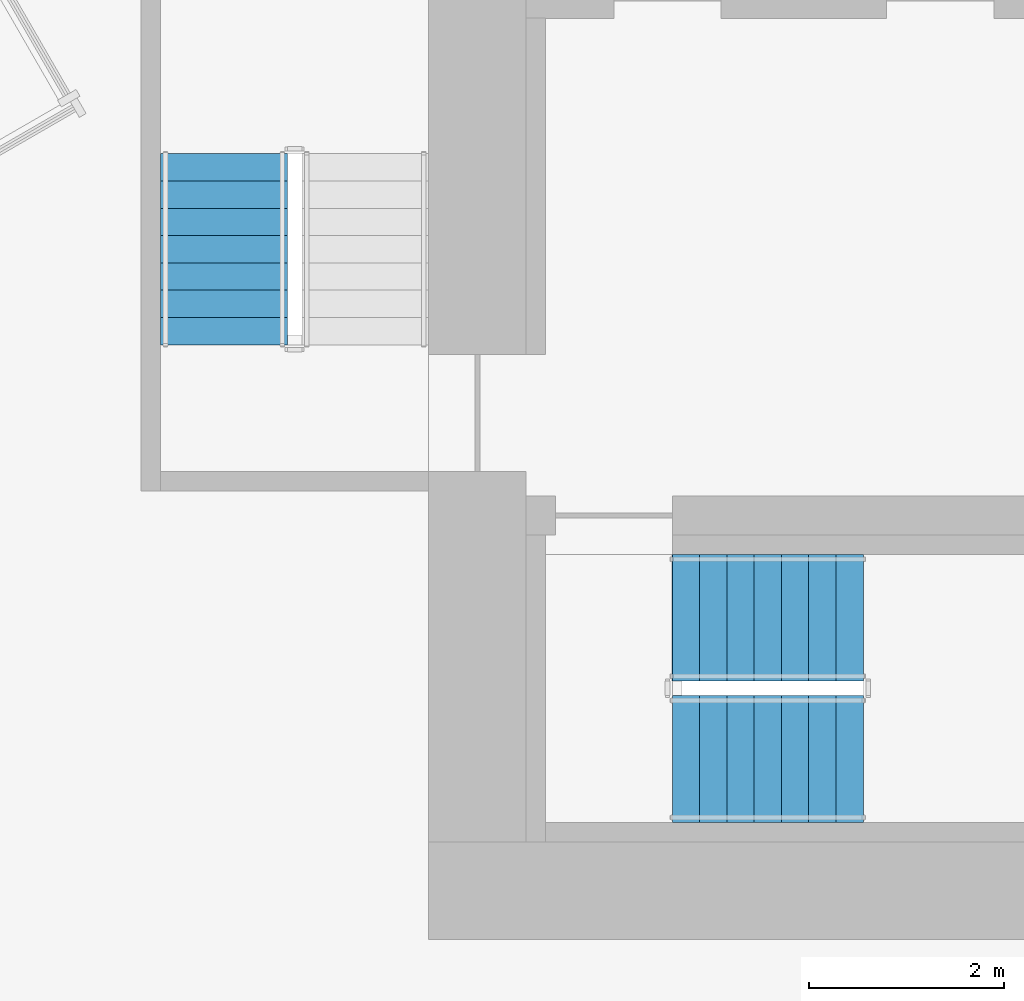
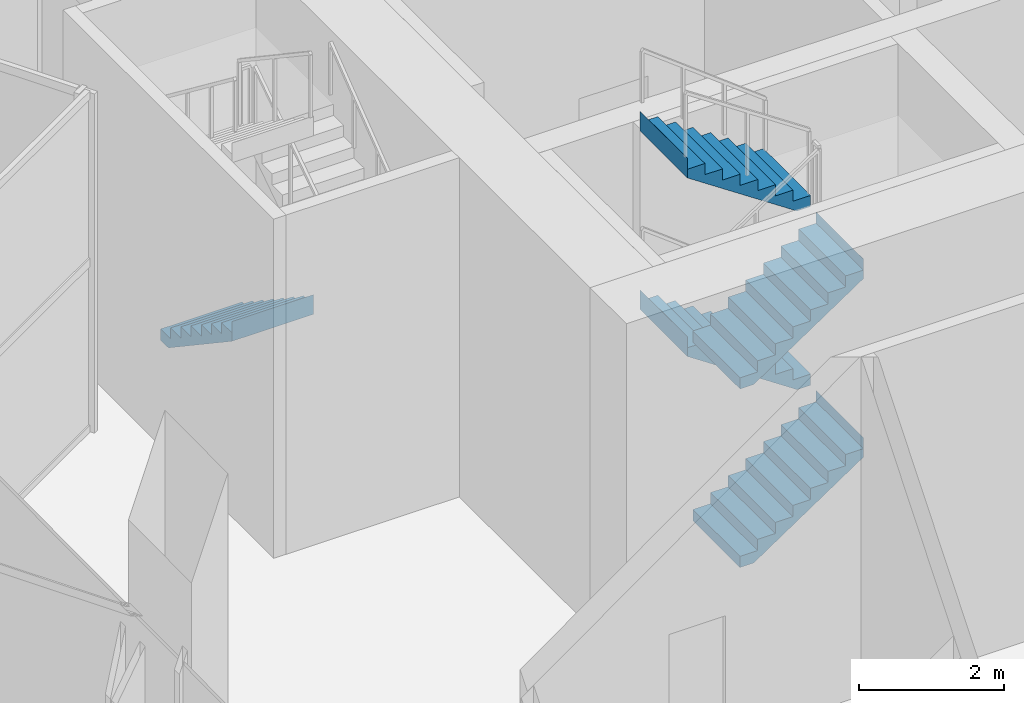
# One storey, part 15 of 23: 5 stair flights, 2 elements without a shape of their own.
"""IFC4 building model written with IfcOpenShell, lengths in metres."""

import ifcopenshell
import ifcopenshell.guid

model = None  # the IFC model being written
_history = None  # IfcOwnerHistory: only IFC2X3 demands one
_inside = {}  # id of a spatial element -> (the spatial element, [elements in it])
_under = {}  # id of a project, library or spatial element -> (it, [spatial elements below it])
_declared = {}  # id of a project -> (the project, [libraries it declares])
_typed = {}  # id of a type object -> (the type object, [elements of that type])
_made_of = {}  # id of a material, layer set ... -> (it, [elements and type objects made of it])


def new_model(schema):
    """Start an empty IFC model of exactly this schema.

    Asked for "IFC4X3", IfcOpenShell would pick the latest addendum, in which some entities
    have other attributes; the version numbers below select the first issue.
    IFC2X3 requires an IfcOwnerHistory on every rooted entity: one is made here for all.
    """
    global model, _history
    if schema == "IFC4X3":
        model = ifcopenshell.file(schema_version=(4, 3, 0, 0))
    else:
        model = ifcopenshell.file(schema=schema)
    _inside.clear()
    _under.clear()
    _declared.clear()
    _typed.clear()
    _made_of.clear()
    _history = None
    if model.schema == "IFC2X3":
        org = make("IfcOrganization", Name="unknown")
        user = make(
            "IfcPersonAndOrganization",
            ThePerson=make("IfcPerson", FamilyName="unknown"),
            TheOrganization=org,
        )
        app = make(
            "IfcApplication",
            ApplicationDeveloper=org,
            Version="unknown",
            ApplicationFullName="unknown",
            ApplicationIdentifier="unknown",
        )
        _history = make(
            "IfcOwnerHistory",
            OwningUser=user,
            OwningApplication=app,
            ChangeAction="ADDED",
            CreationDate=0,
        )
    return model


def make(cls, **values):
    """One entity of the class cls with the attributes given. An attribute that is None is left unset."""
    return model.create_entity(
        cls, **{name: value for name, value in values.items() if value is not None}
    )


def rooted(cls, **values):
    """An entity with a GlobalId (a new one), such as an element, a storey or a relation."""
    return make(cls, GlobalId=ifcopenshell.guid.new(), OwnerHistory=_history, **values)


def si_unit(unit_type, name, prefix=None):
    """IfcSIUnit, for example si_unit("LENGTHUNIT", "METRE", prefix="MILLI")."""
    return make("IfcSIUnit", UnitType=unit_type, Prefix=prefix, Name=name)


def assignment(units):
    """IfcUnitAssignment: the units of a project."""
    return None if units is None else make("IfcUnitAssignment", Units=units)


def point(xyz):
    """IfcCartesianPoint."""
    return None if xyz is None else make("IfcCartesianPoint", Coordinates=xyz)


def direction(xyz):
    """IfcDirection."""
    return None if xyz is None else make("IfcDirection", DirectionRatios=xyz)


def frame(location, z_axis=None, x_axis=None):
    """IfcAxis2Placement3D, a coordinate frame: its origin and axes. An axis left out is left unset."""
    return make(
        "IfcAxis2Placement3D",
        Location=point(location),
        Axis=direction(z_axis),
        RefDirection=direction(x_axis),
    )


def origin():
    """The frame at (0, 0, 0) with its axes left unset."""
    return frame((0.0, 0.0, 0.0))


def place(relative_to, where):
    """IfcLocalPlacement: puts the frame where relative to a parent placement (None: the world)."""
    return make(
        "IfcLocalPlacement", PlacementRelTo=relative_to, RelativePlacement=where
    )


def context(
    kind, dimensions, precision=None, world=None, true_north=None, identifier=None
):
    """IfcGeometricRepresentationContext, for example the 3D "Model" context."""
    return make(
        "IfcGeometricRepresentationContext",
        ContextIdentifier=identifier,
        ContextType=kind,
        CoordinateSpaceDimension=dimensions,
        Precision=precision,
        WorldCoordinateSystem=world,
        TrueNorth=true_north,
    )


def subcontext(parent, identifier, kind, view, scale=None):
    """IfcGeometricRepresentationSubContext, for example "Body" below "Model"."""
    return make(
        "IfcGeometricRepresentationSubContext",
        ContextIdentifier=identifier,
        ContextType=kind,
        ParentContext=parent,
        TargetScale=scale,
        TargetView=view,
    )


def project(units=None, contexts=None):
    """IfcProject with its units and contexts."""
    return rooted(
        "IfcProject",
        Name="project",
        RepresentationContexts=contexts,
        UnitsInContext=assignment(units),
    )


def spatial(cls, under=None, at=None, **own):
    """A site, building, storey or space (cls), placed at a placement, below another one or the project."""
    s = rooted(cls, ObjectPlacement=at, **own)
    if under is not None:
        _under.setdefault(under.id(), (under, []))[1].append(s)
    return s


def point_list(points):
    """IfcCartesianPointList2D or 3D."""
    cls = (
        "IfcCartesianPointList2D" if len(points[0]) == 2 else "IfcCartesianPointList3D"
    )
    return make(cls, CoordList=points)


def triangles(points, corners, closed=None, point_numbers=None):
    """IfcTriangulatedFaceSet: each triangle names its three corners, points numbered from 1."""
    return make(
        "IfcTriangulatedFaceSet",
        Coordinates=point_list(points),
        Closed=closed,
        CoordIndex=corners,
        PnIndex=point_numbers,
    )


def shape(context_of_items, identifier, shape_type, items):
    """IfcShapeRepresentation: the items that make up one representation, for example the "Body"."""
    return make(
        "IfcShapeRepresentation",
        ContextOfItems=context_of_items,
        RepresentationIdentifier=identifier,
        RepresentationType=shape_type,
        Items=items,
    )


def material(Name=None, Category=None):
    """IfcMaterial."""
    return make("IfcMaterial", Name=Name, Category=Category)


def made_of(thing, what):
    """Note that an element or type object is made of a material, layer set ...; save() writes the relation."""
    if what is not None:
        _made_of.setdefault(what.id(), (what, []))[1].append(thing)
    return thing


def type_object(cls, material=None, **own):
    """A type object (cls), such as IfcWallType, which elements share."""
    return made_of(rooted(cls, **own), material)


def element(
    cls,
    number,
    at=None,
    inside=None,
    cuts=None,
    type_object=None,
    material=None,
    context=None,
    identifier="Body",
    shape_type=None,
    held_by="IfcProductDefinitionShape",
    body=None,
    shapes=None,
    **own,
):
    """One element of the class cls, such as IfcWall. Its Tag is "e" and its number.

    at: its placement. inside: the storey or other place that contains it. cuts: it is an
    opening in that element (IfcRelVoidsElement). A single representation is given by context,
    identifier, shape_type and body (its items); several are given by shapes. held_by: the class
    of the entity that holds the representations. save() writes the other relations.
    """
    e = rooted(cls, Tag="e%d" % number, ObjectPlacement=at, **own)
    if body is not None:
        shapes = [shape(context, identifier, shape_type, body)]
    if shapes is not None:
        e.Representation = make(held_by, Representations=shapes)
    if inside is not None:
        _inside.setdefault(inside.id(), (inside, []))[1].append(e)
    if cuts is not None:
        rooted(
            "IfcRelVoidsElement", RelatingBuildingElement=cuts, RelatedOpeningElement=e
        )
    if type_object is not None:
        _typed.setdefault(type_object.id(), (type_object, []))[1].append(e)
    return made_of(e, material)


def aggregate(whole, parts):
    """IfcRelAggregates: a whole, such as a stair, and the parts it consists of."""
    return rooted("IfcRelAggregates", RelatingObject=whole, RelatedObjects=parts)


def save(model, path):
    """Write the relations noted so far, then the file.

    IfcRelAggregates (storeys below a building ...), IfcRelContainedInSpatialStructure (elements
    in a storey), IfcRelDefinesByType, IfcRelAssociatesMaterial and IfcRelDeclares: one each for
    every whole, place, type object, material and project.
    """
    for whole, parts in _under.values():
        aggregate(whole, parts)
    for where, things in _inside.values():
        rooted(
            "IfcRelContainedInSpatialStructure",
            RelatedElements=things,
            RelatingStructure=where,
        )
    for kind, things in _typed.values():
        rooted("IfcRelDefinesByType", RelatedObjects=things, RelatingType=kind)
    for what, things in _made_of.values():
        rooted("IfcRelAssociatesMaterial", RelatedObjects=things, RelatingMaterial=what)
    for by, libraries in _declared.values():
        rooted("IfcRelDeclares", RelatingContext=by, RelatedDefinitions=libraries)
    model.write(path)


model = new_model("IFC4")

# Units and contexts
model_context = context("Model", 3, precision=1e-05, world=origin(), true_north=direction((0.0, 1.0)))
body_context = subcontext(model_context, "Body", "Model", "MODEL_VIEW")
ifc_project = project(units=[si_unit("LENGTHUNIT", "METRE"), si_unit("AREAUNIT", "SQUARE_METRE"), si_unit("VOLUMEUNIT", "CUBIC_METRE"), si_unit("PLANEANGLEUNIT", "RADIAN"), si_unit("MASSUNIT", "GRAM", prefix="KILO")], contexts=[model_context])

# Site, building, storey
site_placement = place(None, origin())
site = spatial("IfcSite", under=ifc_project, at=site_placement, CompositionType="ELEMENT")
building_placement = place(site_placement, origin())
building = spatial("IfcBuilding", under=site, at=building_placement, Name="Beryl Residences", CompositionType="ELEMENT")
storey_placement = place(building_placement, frame((0.0, 0.0, 66.0)))
storey = spatial("IfcBuildingStorey", under=building, at=storey_placement, Name="L20", CompositionType="ELEMENT", Elevation=66.0)

# Stair, stair flights
ifc_material_1 = material(Name="Concrete C40/50", Category="concrete")
stair_type = type_object("IfcStairType", Name="ST1 protected exit stair, half-turn, 1300 mm flights", PredefinedType="HALF_TURN_STAIR", material=ifc_material_1)
stair_1_placement = place(storey_placement, origin())
stair_1 = element("IfcStair", 1, at=stair_1_placement, inside=storey, type_object=stair_type, Name="L20 PROTECTED EXIT STAIR ST-1", PredefinedType="HALF_TURN_STAIR")
ifc_material_2 = material(Name="Concrete C40/50", Category="concrete")
stair_flight_type = type_object("IfcStairFlightType", Name="SF1 stair flight 1300 mm", PredefinedType="STRAIGHT", material=ifc_material_2)
stair_flight_1_placement = place(storey_placement, frame((-10.800048828125, -17.14990234375, 0.0), z_axis=(0.0, 0.0, 1.0), x_axis=(1.0, 0.0, 0.0)))
stair_flight_1 = element("IfcStairFlight", 2, at=stair_flight_1_placement, type_object=stair_flight_type, Name="ST-1 flight 1", NumberOfRisers=8, NumberOfTreads=7, PredefinedType="STRAIGHT", RiserHeight=0.1875, TreadLength=0.28, context=body_context, shape_type="Tessellation", body=[
    triangles([(0.0, -0.64990234375, 0.0), (0.0, -0.324951171875, 0.0), (0.0, 0.0, 0.0), (0.0, 0.324951171875, 0.0), (0.0, 0.64990234375, 0.0), (0.0, -0.64990234375, 0.1875), (0.0, -0.324951171875, 0.1875), (0.0, 0.0, 0.1875), (0.0, 0.324951171875, 0.1875), (0.0, 0.64990234375, 0.1875), (0.280029296875, -0.64990234375, 0.1875), (0.280029296875, -0.324951171875, 0.1875), (0.280029296875, 0.0, 0.1875), (0.280029296875, 0.324951171875, 0.1875), (0.280029296875, 0.64990234375, 0.1875), (0.280029296875, -0.64990234375, 0.375), (0.280029296875, -0.324951171875, 0.375), (0.280029296875, 0.0, 0.375), (0.280029296875, 0.324951171875, 0.375), (0.280029296875, 0.64990234375, 0.375), (0.56005859375, -0.64990234375, 0.375), (0.56005859375, -0.324951171875, 0.375), (0.56005859375, 0.0, 0.375), (0.56005859375, 0.324951171875, 0.375), (0.56005859375, 0.64990234375, 0.375), (0.56005859375, -0.64990234375, 0.5625), (0.56005859375, -0.324951171875, 0.5625), (0.56005859375, 0.0, 0.5625), (0.56005859375, 0.324951171875, 0.5625), (0.56005859375, 0.64990234375, 0.5625), (0.840087890625, -0.64990234375, 0.5625), (0.840087890625, -0.324951171875, 0.5625), (0.840087890625, 0.0, 0.5625), (0.840087890625, 0.324951171875, 0.5625), (0.840087890625, 0.64990234375, 0.5625), (0.840087890625, -0.64990234375, 0.75), (0.840087890625, -0.324951171875, 0.75), (0.840087890625, 0.0, 0.75), (0.840087890625, 0.324951171875, 0.75), (0.840087890625, 0.64990234375, 0.75), (1.1201171875, -0.64990234375, 0.75), (1.1201171875, -0.324951171875, 0.75), (1.1201171875, 0.0, 0.75), (1.1201171875, 0.324951171875, 0.75), (1.1201171875, 0.64990234375, 0.75), (1.1201171875, -0.64990234375, 0.9375), (1.1201171875, -0.324951171875, 0.9375), (1.1201171875, 0.0, 0.9375), (1.1201171875, 0.324951171875, 0.9375), (1.1201171875, 0.64990234375, 0.9375), (1.39990234375, -0.64990234375, 0.9375), (1.39990234375, -0.324951171875, 0.9375), (1.39990234375, 0.0, 0.9375), (1.39990234375, 0.324951171875, 0.9375), (1.39990234375, 0.64990234375, 0.9375), (1.39990234375, -0.64990234375, 1.125), (1.39990234375, -0.324951171875, 1.125), (1.39990234375, 0.0, 1.125), (1.39990234375, 0.324951171875, 1.125), (1.39990234375, 0.64990234375, 1.125), (1.679931640625, -0.64990234375, 1.125), (1.679931640625, -0.324951171875, 1.125), (1.679931640625, 0.0, 1.125), (1.679931640625, 0.324951171875, 1.125), (1.679931640625, 0.64990234375, 1.125), (1.679931640625, -0.64990234375, 1.3125), (1.679931640625, -0.324951171875, 1.3125), (1.679931640625, 0.0, 1.3125), (1.679931640625, 0.324951171875, 1.3125), (1.679931640625, 0.64990234375, 1.3125), (1.9599609375, -0.64990234375, 1.3125), (1.9599609375, -0.324951171875, 1.3125), (1.9599609375, 0.0, 1.3125), (1.9599609375, 0.324951171875, 1.3125), (1.9599609375, 0.64990234375, 1.3125), (1.9599609375, -0.64990234375, 1.5), (1.9599609375, -0.324951171875, 1.5), (1.9599609375, 0.0, 1.5), (1.9599609375, 0.324951171875, 1.5), (1.9599609375, 0.64990234375, 1.5), (1.9609375, -0.64990234375, 1.5), (1.9609375, -0.324951171875, 1.5), (1.9609375, 0.0, 1.5), (1.9609375, 0.324951171875, 1.5), (1.9609375, 0.64990234375, 1.5), (1.9609375, -0.64990234375, 1.16796875), (1.9609375, -0.324951171875, 1.16796875), (1.9609375, 0.0, 1.16796875), (1.9609375, 0.324951171875, 1.16796875), (1.9609375, 0.64990234375, 1.16796875), (0.216796875, -0.64990234375, 0.0), (0.216796875, -0.324951171875, 0.0), (0.216796875, 0.0, 0.0), (0.216796875, 0.324951171875, 0.0), (0.216796875, 0.64990234375, 0.0)], [[1, 6, 7], [1, 7, 2], [2, 7, 8], [2, 8, 3], [3, 8, 9], [3, 9, 4], [4, 9, 10], [4, 10, 5], [6, 11, 12], [6, 12, 7], [7, 12, 13], [7, 13, 8], [8, 13, 14], [8, 14, 9], [9, 14, 15], [9, 15, 10], [11, 16, 17], [11, 17, 12], [12, 17, 18], [12, 18, 13], [13, 18, 19], [13, 19, 14], [14, 19, 20], [14, 20, 15], [16, 21, 22], [16, 22, 17], [17, 22, 23], [17, 23, 18], [18, 23, 24], [18, 24, 19], [19, 24, 25], [19, 25, 20], [21, 26, 27], [21, 27, 22], [22, 27, 28], [22, 28, 23], [23, 28, 29], [23, 29, 24], [24, 29, 30], [24, 30, 25], [26, 31, 32], [26, 32, 27], [27, 32, 33], [27, 33, 28], [28, 33, 34], [28, 34, 29], [29, 34, 35], [29, 35, 30], [31, 36, 37], [31, 37, 32], [32, 37, 38], [32, 38, 33], [33, 38, 39], [33, 39, 34], [34, 39, 40], [34, 40, 35], [36, 41, 42], [36, 42, 37], [37, 42, 43], [37, 43, 38], [38, 43, 44], [38, 44, 39], [39, 44, 45], [39, 45, 40], [41, 46, 47], [41, 47, 42], [42, 47, 48], [42, 48, 43], [43, 48, 49], [43, 49, 44], [44, 49, 50], [44, 50, 45], [46, 51, 52], [46, 52, 47], [47, 52, 53], [47, 53, 48], [48, 53, 54], [48, 54, 49], [49, 54, 55], [49, 55, 50], [51, 56, 57], [51, 57, 52], [52, 57, 58], [52, 58, 53], [53, 58, 59], [53, 59, 54], [54, 59, 60], [54, 60, 55], [56, 61, 62], [56, 62, 57], [57, 62, 63], [57, 63, 58], [58, 63, 64], [58, 64, 59], [59, 64, 65], [59, 65, 60], [61, 66, 67], [61, 67, 62], [62, 67, 68], [62, 68, 63], [63, 68, 69], [63, 69, 64], [64, 69, 70], [64, 70, 65], [66, 71, 72], [66, 72, 67], [67, 72, 73], [67, 73, 68], [68, 73, 74], [68, 74, 69], [69, 74, 75], [69, 75, 70], [71, 76, 77], [71, 77, 72], [72, 77, 78], [72, 78, 73], [73, 78, 79], [73, 79, 74], [74, 79, 80], [74, 80, 75], [76, 81, 82], [76, 82, 77], [77, 82, 83], [77, 83, 78], [78, 83, 84], [78, 84, 79], [79, 84, 85], [79, 85, 80], [81, 86, 87], [81, 87, 82], [82, 87, 88], [82, 88, 83], [83, 88, 89], [83, 89, 84], [84, 89, 90], [84, 90, 85], [86, 91, 92], [86, 92, 87], [87, 92, 93], [87, 93, 88], [88, 93, 94], [88, 94, 89], [89, 94, 95], [89, 95, 90], [91, 1, 2], [91, 2, 92], [92, 2, 3], [92, 3, 93], [93, 3, 4], [93, 4, 94], [94, 4, 5], [94, 5, 95], [1, 91, 86], [5, 90, 95], [86, 81, 76], [90, 80, 85], [86, 76, 71], [90, 75, 80], [86, 71, 66], [90, 70, 75], [86, 66, 61], [90, 65, 70], [61, 56, 51], [65, 55, 60], [86, 61, 51], [90, 55, 65], [51, 46, 41], [55, 45, 50], [86, 51, 41], [90, 45, 55], [41, 36, 31], [45, 35, 40], [86, 41, 31], [90, 35, 45], [31, 26, 21], [35, 25, 30], [86, 31, 21], [90, 25, 35], [21, 16, 11], [25, 15, 20], [86, 21, 11], [90, 15, 25], [1, 86, 11], [5, 15, 90], [11, 6, 1], [15, 5, 10]], closed=True),
])
stair_flight_2_placement = place(storey_placement, frame((-8.840087890625, -15.699951171875, 1.5), z_axis=(0.0, 0.0, 1.0), x_axis=(-1.0, 0.0, 0.0)))
stair_flight_2 = element("IfcStairFlight", 3, at=stair_flight_2_placement, type_object=stair_flight_type, Name="ST-1 flight 2", NumberOfRisers=8, NumberOfTreads=7, PredefinedType="STRAIGHT", RiserHeight=0.1875, TreadLength=0.28, context=body_context, shape_type="Tessellation", body=[
    triangles([(0.0, -0.64990234375, 0.0), (0.0, -0.324951171875, 0.0), (0.0, 0.0, 0.0), (0.0, 0.324951171875, 0.0), (0.0, 0.64990234375, 0.0), (0.0, -0.64990234375, 0.1875), (0.0, -0.324951171875, 0.1875), (0.0, 0.0, 0.1875), (0.0, 0.324951171875, 0.1875), (0.0, 0.64990234375, 0.1875), (0.280029296875, -0.64990234375, 0.1875), (0.280029296875, -0.324951171875, 0.1875), (0.280029296875, 0.0, 0.1875), (0.280029296875, 0.324951171875, 0.1875), (0.280029296875, 0.64990234375, 0.1875), (0.280029296875, -0.64990234375, 0.375), (0.280029296875, -0.324951171875, 0.375), (0.280029296875, 0.0, 0.375), (0.280029296875, 0.324951171875, 0.375), (0.280029296875, 0.64990234375, 0.375), (0.56005859375, -0.64990234375, 0.375), (0.56005859375, -0.324951171875, 0.375), (0.56005859375, 0.0, 0.375), (0.56005859375, 0.324951171875, 0.375), (0.56005859375, 0.64990234375, 0.375), (0.56005859375, -0.64990234375, 0.5625), (0.56005859375, -0.324951171875, 0.5625), (0.56005859375, 0.0, 0.5625), (0.56005859375, 0.324951171875, 0.5625), (0.56005859375, 0.64990234375, 0.5625), (0.840087890625, -0.64990234375, 0.5625), (0.840087890625, -0.324951171875, 0.5625), (0.840087890625, 0.0, 0.5625), (0.840087890625, 0.324951171875, 0.5625), (0.840087890625, 0.64990234375, 0.5625), (0.840087890625, -0.64990234375, 0.75), (0.840087890625, -0.324951171875, 0.75), (0.840087890625, 0.0, 0.75), (0.840087890625, 0.324951171875, 0.75), (0.840087890625, 0.64990234375, 0.75), (1.1201171875, -0.64990234375, 0.75), (1.1201171875, -0.324951171875, 0.75), (1.1201171875, 0.0, 0.75), (1.1201171875, 0.324951171875, 0.75), (1.1201171875, 0.64990234375, 0.75), (1.1201171875, -0.64990234375, 0.9375), (1.1201171875, -0.324951171875, 0.9375), (1.1201171875, 0.0, 0.9375), (1.1201171875, 0.324951171875, 0.9375), (1.1201171875, 0.64990234375, 0.9375), (1.39990234375, -0.64990234375, 0.9375), (1.39990234375, -0.324951171875, 0.9375), (1.39990234375, 0.0, 0.9375), (1.39990234375, 0.324951171875, 0.9375), (1.39990234375, 0.64990234375, 0.9375), (1.39990234375, -0.64990234375, 1.125), (1.39990234375, -0.324951171875, 1.125), (1.39990234375, 0.0, 1.125), (1.39990234375, 0.324951171875, 1.125), (1.39990234375, 0.64990234375, 1.125), (1.679931640625, -0.64990234375, 1.125), (1.679931640625, -0.324951171875, 1.125), (1.679931640625, 0.0, 1.125), (1.679931640625, 0.324951171875, 1.125), (1.679931640625, 0.64990234375, 1.125), (1.679931640625, -0.64990234375, 1.3125), (1.679931640625, -0.324951171875, 1.3125), (1.679931640625, 0.0, 1.3125), (1.679931640625, 0.324951171875, 1.3125), (1.679931640625, 0.64990234375, 1.3125), (1.9599609375, -0.64990234375, 1.3125), (1.9599609375, -0.324951171875, 1.3125), (1.9599609375, 0.0, 1.3125), (1.9599609375, 0.324951171875, 1.3125), (1.9599609375, 0.64990234375, 1.3125), (1.9599609375, -0.64990234375, 1.5), (1.9599609375, -0.324951171875, 1.5), (1.9599609375, 0.0, 1.5), (1.9599609375, 0.324951171875, 1.5), (1.9599609375, 0.64990234375, 1.5), (1.9609375, -0.64990234375, 1.5), (1.9609375, -0.324951171875, 1.5), (1.9609375, 0.0, 1.5), (1.9609375, 0.324951171875, 1.5), (1.9609375, 0.64990234375, 1.5), (1.9609375, -0.64990234375, 1.16796875), (1.9609375, -0.324951171875, 1.16796875), (1.9609375, 0.0, 1.16796875), (1.9609375, 0.324951171875, 1.16796875), (1.9609375, 0.64990234375, 1.16796875), (0.216796875, -0.64990234375, 0.0), (0.216796875, -0.324951171875, 0.0), (0.216796875, 0.0, 0.0), (0.216796875, 0.324951171875, 0.0), (0.216796875, 0.64990234375, 0.0)], [[1, 6, 7], [1, 7, 2], [2, 7, 8], [2, 8, 3], [3, 8, 9], [3, 9, 4], [4, 9, 10], [4, 10, 5], [6, 11, 12], [6, 12, 7], [7, 12, 13], [7, 13, 8], [8, 13, 14], [8, 14, 9], [9, 14, 15], [9, 15, 10], [11, 16, 17], [11, 17, 12], [12, 17, 18], [12, 18, 13], [13, 18, 19], [13, 19, 14], [14, 19, 20], [14, 20, 15], [16, 21, 22], [16, 22, 17], [17, 22, 23], [17, 23, 18], [18, 23, 24], [18, 24, 19], [19, 24, 25], [19, 25, 20], [21, 26, 27], [21, 27, 22], [22, 27, 28], [22, 28, 23], [23, 28, 29], [23, 29, 24], [24, 29, 30], [24, 30, 25], [26, 31, 32], [26, 32, 27], [27, 32, 33], [27, 33, 28], [28, 33, 34], [28, 34, 29], [29, 34, 35], [29, 35, 30], [31, 36, 37], [31, 37, 32], [32, 37, 38], [32, 38, 33], [33, 38, 39], [33, 39, 34], [34, 39, 40], [34, 40, 35], [36, 41, 42], [36, 42, 37], [37, 42, 43], [37, 43, 38], [38, 43, 44], [38, 44, 39], [39, 44, 45], [39, 45, 40], [41, 46, 47], [41, 47, 42], [42, 47, 48], [42, 48, 43], [43, 48, 49], [43, 49, 44], [44, 49, 50], [44, 50, 45], [46, 51, 52], [46, 52, 47], [47, 52, 53], [47, 53, 48], [48, 53, 54], [48, 54, 49], [49, 54, 55], [49, 55, 50], [51, 56, 57], [51, 57, 52], [52, 57, 58], [52, 58, 53], [53, 58, 59], [53, 59, 54], [54, 59, 60], [54, 60, 55], [56, 61, 62], [56, 62, 57], [57, 62, 63], [57, 63, 58], [58, 63, 64], [58, 64, 59], [59, 64, 65], [59, 65, 60], [61, 66, 67], [61, 67, 62], [62, 67, 68], [62, 68, 63], [63, 68, 69], [63, 69, 64], [64, 69, 70], [64, 70, 65], [66, 71, 72], [66, 72, 67], [67, 72, 73], [67, 73, 68], [68, 73, 74], [68, 74, 69], [69, 74, 75], [69, 75, 70], [71, 76, 77], [71, 77, 72], [72, 77, 78], [72, 78, 73], [73, 78, 79], [73, 79, 74], [74, 79, 80], [74, 80, 75], [76, 81, 82], [76, 82, 77], [77, 82, 83], [77, 83, 78], [78, 83, 84], [78, 84, 79], [79, 84, 85], [79, 85, 80], [81, 86, 87], [81, 87, 82], [82, 87, 88], [82, 88, 83], [83, 88, 89], [83, 89, 84], [84, 89, 90], [84, 90, 85], [86, 91, 92], [86, 92, 87], [87, 92, 93], [87, 93, 88], [88, 93, 94], [88, 94, 89], [89, 94, 95], [89, 95, 90], [91, 1, 2], [91, 2, 92], [92, 2, 3], [92, 3, 93], [93, 3, 4], [93, 4, 94], [94, 4, 5], [94, 5, 95], [1, 91, 86], [5, 90, 95], [86, 81, 76], [90, 80, 85], [86, 76, 71], [90, 75, 80], [86, 71, 66], [90, 70, 75], [86, 66, 61], [90, 65, 70], [61, 56, 51], [65, 55, 60], [86, 61, 51], [90, 55, 65], [51, 46, 41], [55, 45, 50], [86, 51, 41], [90, 45, 55], [41, 36, 31], [45, 35, 40], [86, 41, 31], [90, 35, 45], [31, 26, 21], [35, 25, 30], [86, 31, 21], [90, 25, 35], [21, 16, 11], [25, 15, 20], [86, 21, 11], [90, 15, 25], [1, 86, 11], [5, 15, 90], [11, 6, 1], [15, 5, 10]], closed=True),
])
stair_flight_3_placement = place(storey_placement, frame((-10.800048828125, -17.14990234375, 3.0), z_axis=(0.0, 0.0, 1.0), x_axis=(1.0, 0.0, 0.0)))
stair_flight_3 = element("IfcStairFlight", 4, at=stair_flight_3_placement, type_object=stair_flight_type, Name="ST-1 flight 3", NumberOfRisers=8, NumberOfTreads=7, PredefinedType="STRAIGHT", RiserHeight=0.1875, TreadLength=0.28, context=body_context, shape_type="Tessellation", body=[
    triangles([(0.0, -0.64990234375, 0.0), (0.0, -0.324951171875, 0.0), (0.0, 0.0, 0.0), (0.0, 0.324951171875, 0.0), (0.0, 0.64990234375, 0.0), (0.0, -0.64990234375, 0.1875), (0.0, -0.324951171875, 0.1875), (0.0, 0.0, 0.1875), (0.0, 0.324951171875, 0.1875), (0.0, 0.64990234375, 0.1875), (0.280029296875, -0.64990234375, 0.1875), (0.280029296875, -0.324951171875, 0.1875), (0.280029296875, 0.0, 0.1875), (0.280029296875, 0.324951171875, 0.1875), (0.280029296875, 0.64990234375, 0.1875), (0.280029296875, -0.64990234375, 0.375), (0.280029296875, -0.324951171875, 0.375), (0.280029296875, 0.0, 0.375), (0.280029296875, 0.324951171875, 0.375), (0.280029296875, 0.64990234375, 0.375), (0.56005859375, -0.64990234375, 0.375), (0.56005859375, -0.324951171875, 0.375), (0.56005859375, 0.0, 0.375), (0.56005859375, 0.324951171875, 0.375), (0.56005859375, 0.64990234375, 0.375), (0.56005859375, -0.64990234375, 0.5625), (0.56005859375, -0.324951171875, 0.5625), (0.56005859375, 0.0, 0.5625), (0.56005859375, 0.324951171875, 0.5625), (0.56005859375, 0.64990234375, 0.5625), (0.840087890625, -0.64990234375, 0.5625), (0.840087890625, -0.324951171875, 0.5625), (0.840087890625, 0.0, 0.5625), (0.840087890625, 0.324951171875, 0.5625), (0.840087890625, 0.64990234375, 0.5625), (0.840087890625, -0.64990234375, 0.75), (0.840087890625, -0.324951171875, 0.75), (0.840087890625, 0.0, 0.75), (0.840087890625, 0.324951171875, 0.75), (0.840087890625, 0.64990234375, 0.75), (1.1201171875, -0.64990234375, 0.75), (1.1201171875, -0.324951171875, 0.75), (1.1201171875, 0.0, 0.75), (1.1201171875, 0.324951171875, 0.75), (1.1201171875, 0.64990234375, 0.75), (1.1201171875, -0.64990234375, 0.9375), (1.1201171875, -0.324951171875, 0.9375), (1.1201171875, 0.0, 0.9375), (1.1201171875, 0.324951171875, 0.9375), (1.1201171875, 0.64990234375, 0.9375), (1.39990234375, -0.64990234375, 0.9375), (1.39990234375, -0.324951171875, 0.9375), (1.39990234375, 0.0, 0.9375), (1.39990234375, 0.324951171875, 0.9375), (1.39990234375, 0.64990234375, 0.9375), (1.39990234375, -0.64990234375, 1.125), (1.39990234375, -0.324951171875, 1.125), (1.39990234375, 0.0, 1.125), (1.39990234375, 0.324951171875, 1.125), (1.39990234375, 0.64990234375, 1.125), (1.679931640625, -0.64990234375, 1.125), (1.679931640625, -0.324951171875, 1.125), (1.679931640625, 0.0, 1.125), (1.679931640625, 0.324951171875, 1.125), (1.679931640625, 0.64990234375, 1.125), (1.679931640625, -0.64990234375, 1.3125), (1.679931640625, -0.324951171875, 1.3125), (1.679931640625, 0.0, 1.3125), (1.679931640625, 0.324951171875, 1.3125), (1.679931640625, 0.64990234375, 1.3125), (1.9599609375, -0.64990234375, 1.3125), (1.9599609375, -0.324951171875, 1.3125), (1.9599609375, 0.0, 1.3125), (1.9599609375, 0.324951171875, 1.3125), (1.9599609375, 0.64990234375, 1.3125), (1.9599609375, -0.64990234375, 1.5), (1.9599609375, -0.324951171875, 1.5), (1.9599609375, 0.0, 1.5), (1.9599609375, 0.324951171875, 1.5), (1.9599609375, 0.64990234375, 1.5), (1.9609375, -0.64990234375, 1.5), (1.9609375, -0.324951171875, 1.5), (1.9609375, 0.0, 1.5), (1.9609375, 0.324951171875, 1.5), (1.9609375, 0.64990234375, 1.5), (1.9609375, -0.64990234375, 1.16796875), (1.9609375, -0.324951171875, 1.16796875), (1.9609375, 0.0, 1.16796875), (1.9609375, 0.324951171875, 1.16796875), (1.9609375, 0.64990234375, 1.16796875), (0.216796875, -0.64990234375, 0.0), (0.216796875, -0.324951171875, 0.0), (0.216796875, 0.0, 0.0), (0.216796875, 0.324951171875, 0.0), (0.216796875, 0.64990234375, 0.0)], [[1, 6, 7], [1, 7, 2], [2, 7, 8], [2, 8, 3], [3, 8, 9], [3, 9, 4], [4, 9, 10], [4, 10, 5], [6, 11, 12], [6, 12, 7], [7, 12, 13], [7, 13, 8], [8, 13, 14], [8, 14, 9], [9, 14, 15], [9, 15, 10], [11, 16, 17], [11, 17, 12], [12, 17, 18], [12, 18, 13], [13, 18, 19], [13, 19, 14], [14, 19, 20], [14, 20, 15], [16, 21, 22], [16, 22, 17], [17, 22, 23], [17, 23, 18], [18, 23, 24], [18, 24, 19], [19, 24, 25], [19, 25, 20], [21, 26, 27], [21, 27, 22], [22, 27, 28], [22, 28, 23], [23, 28, 29], [23, 29, 24], [24, 29, 30], [24, 30, 25], [26, 31, 32], [26, 32, 27], [27, 32, 33], [27, 33, 28], [28, 33, 34], [28, 34, 29], [29, 34, 35], [29, 35, 30], [31, 36, 37], [31, 37, 32], [32, 37, 38], [32, 38, 33], [33, 38, 39], [33, 39, 34], [34, 39, 40], [34, 40, 35], [36, 41, 42], [36, 42, 37], [37, 42, 43], [37, 43, 38], [38, 43, 44], [38, 44, 39], [39, 44, 45], [39, 45, 40], [41, 46, 47], [41, 47, 42], [42, 47, 48], [42, 48, 43], [43, 48, 49], [43, 49, 44], [44, 49, 50], [44, 50, 45], [46, 51, 52], [46, 52, 47], [47, 52, 53], [47, 53, 48], [48, 53, 54], [48, 54, 49], [49, 54, 55], [49, 55, 50], [51, 56, 57], [51, 57, 52], [52, 57, 58], [52, 58, 53], [53, 58, 59], [53, 59, 54], [54, 59, 60], [54, 60, 55], [56, 61, 62], [56, 62, 57], [57, 62, 63], [57, 63, 58], [58, 63, 64], [58, 64, 59], [59, 64, 65], [59, 65, 60], [61, 66, 67], [61, 67, 62], [62, 67, 68], [62, 68, 63], [63, 68, 69], [63, 69, 64], [64, 69, 70], [64, 70, 65], [66, 71, 72], [66, 72, 67], [67, 72, 73], [67, 73, 68], [68, 73, 74], [68, 74, 69], [69, 74, 75], [69, 75, 70], [71, 76, 77], [71, 77, 72], [72, 77, 78], [72, 78, 73], [73, 78, 79], [73, 79, 74], [74, 79, 80], [74, 80, 75], [76, 81, 82], [76, 82, 77], [77, 82, 83], [77, 83, 78], [78, 83, 84], [78, 84, 79], [79, 84, 85], [79, 85, 80], [81, 86, 87], [81, 87, 82], [82, 87, 88], [82, 88, 83], [83, 88, 89], [83, 89, 84], [84, 89, 90], [84, 90, 85], [86, 91, 92], [86, 92, 87], [87, 92, 93], [87, 93, 88], [88, 93, 94], [88, 94, 89], [89, 94, 95], [89, 95, 90], [91, 1, 2], [91, 2, 92], [92, 2, 3], [92, 3, 93], [93, 3, 4], [93, 4, 94], [94, 4, 5], [94, 5, 95], [1, 91, 86], [5, 90, 95], [86, 81, 76], [90, 80, 85], [86, 76, 71], [90, 75, 80], [86, 71, 66], [90, 70, 75], [86, 66, 61], [90, 65, 70], [61, 56, 51], [65, 55, 60], [86, 61, 51], [90, 55, 65], [51, 46, 41], [55, 45, 50], [86, 51, 41], [90, 45, 55], [41, 36, 31], [45, 35, 40], [86, 41, 31], [90, 35, 45], [31, 26, 21], [35, 25, 30], [86, 31, 21], [90, 25, 35], [21, 16, 11], [25, 15, 20], [86, 21, 11], [90, 15, 25], [1, 86, 11], [5, 15, 90], [11, 6, 1], [15, 5, 10]], closed=True),
])
stair_flight_4_placement = place(storey_placement, frame((-8.840087890625, -15.699951171875, 4.5), z_axis=(0.0, 0.0, 1.0), x_axis=(-1.0, 0.0, 0.0)))
stair_flight_4 = element("IfcStairFlight", 5, at=stair_flight_4_placement, type_object=stair_flight_type, Name="ST-1 flight 4", NumberOfRisers=8, NumberOfTreads=7, PredefinedType="STRAIGHT", RiserHeight=0.1875, TreadLength=0.28, context=body_context, shape_type="Tessellation", body=[
    triangles([(0.0, -0.64990234375, 0.0), (0.0, -0.324951171875, 0.0), (0.0, 0.0, 0.0), (0.0, 0.324951171875, 0.0), (0.0, 0.64990234375, 0.0), (0.0, -0.64990234375, 0.1875), (0.0, -0.324951171875, 0.1875), (0.0, 0.0, 0.1875), (0.0, 0.324951171875, 0.1875), (0.0, 0.64990234375, 0.1875), (0.280029296875, -0.64990234375, 0.1875), (0.280029296875, -0.324951171875, 0.1875), (0.280029296875, 0.0, 0.1875), (0.280029296875, 0.324951171875, 0.1875), (0.280029296875, 0.64990234375, 0.1875), (0.280029296875, -0.64990234375, 0.375), (0.280029296875, -0.324951171875, 0.375), (0.280029296875, 0.0, 0.375), (0.280029296875, 0.324951171875, 0.375), (0.280029296875, 0.64990234375, 0.375), (0.56005859375, -0.64990234375, 0.375), (0.56005859375, -0.324951171875, 0.375), (0.56005859375, 0.0, 0.375), (0.56005859375, 0.324951171875, 0.375), (0.56005859375, 0.64990234375, 0.375), (0.56005859375, -0.64990234375, 0.5625), (0.56005859375, -0.324951171875, 0.5625), (0.56005859375, 0.0, 0.5625), (0.56005859375, 0.324951171875, 0.5625), (0.56005859375, 0.64990234375, 0.5625), (0.840087890625, -0.64990234375, 0.5625), (0.840087890625, -0.324951171875, 0.5625), (0.840087890625, 0.0, 0.5625), (0.840087890625, 0.324951171875, 0.5625), (0.840087890625, 0.64990234375, 0.5625), (0.840087890625, -0.64990234375, 0.75), (0.840087890625, -0.324951171875, 0.75), (0.840087890625, 0.0, 0.75), (0.840087890625, 0.324951171875, 0.75), (0.840087890625, 0.64990234375, 0.75), (1.1201171875, -0.64990234375, 0.75), (1.1201171875, -0.324951171875, 0.75), (1.1201171875, 0.0, 0.75), (1.1201171875, 0.324951171875, 0.75), (1.1201171875, 0.64990234375, 0.75), (1.1201171875, -0.64990234375, 0.9375), (1.1201171875, -0.324951171875, 0.9375), (1.1201171875, 0.0, 0.9375), (1.1201171875, 0.324951171875, 0.9375), (1.1201171875, 0.64990234375, 0.9375), (1.39990234375, -0.64990234375, 0.9375), (1.39990234375, -0.324951171875, 0.9375), (1.39990234375, 0.0, 0.9375), (1.39990234375, 0.324951171875, 0.9375), (1.39990234375, 0.64990234375, 0.9375), (1.39990234375, -0.64990234375, 1.125), (1.39990234375, -0.324951171875, 1.125), (1.39990234375, 0.0, 1.125), (1.39990234375, 0.324951171875, 1.125), (1.39990234375, 0.64990234375, 1.125), (1.679931640625, -0.64990234375, 1.125), (1.679931640625, -0.324951171875, 1.125), (1.679931640625, 0.0, 1.125), (1.679931640625, 0.324951171875, 1.125), (1.679931640625, 0.64990234375, 1.125), (1.679931640625, -0.64990234375, 1.3125), (1.679931640625, -0.324951171875, 1.3125), (1.679931640625, 0.0, 1.3125), (1.679931640625, 0.324951171875, 1.3125), (1.679931640625, 0.64990234375, 1.3125), (1.9599609375, -0.64990234375, 1.3125), (1.9599609375, -0.324951171875, 1.3125), (1.9599609375, 0.0, 1.3125), (1.9599609375, 0.324951171875, 1.3125), (1.9599609375, 0.64990234375, 1.3125), (1.9599609375, -0.64990234375, 1.5), (1.9599609375, -0.324951171875, 1.5), (1.9599609375, 0.0, 1.5), (1.9599609375, 0.324951171875, 1.5), (1.9599609375, 0.64990234375, 1.5), (1.9609375, -0.64990234375, 1.5), (1.9609375, -0.324951171875, 1.5), (1.9609375, 0.0, 1.5), (1.9609375, 0.324951171875, 1.5), (1.9609375, 0.64990234375, 1.5), (1.9609375, -0.64990234375, 1.16796875), (1.9609375, -0.324951171875, 1.16796875), (1.9609375, 0.0, 1.16796875), (1.9609375, 0.324951171875, 1.16796875), (1.9609375, 0.64990234375, 1.16796875), (0.216796875, -0.64990234375, 0.0), (0.216796875, -0.324951171875, 0.0), (0.216796875, 0.0, 0.0), (0.216796875, 0.324951171875, 0.0), (0.216796875, 0.64990234375, 0.0)], [[1, 6, 7], [1, 7, 2], [2, 7, 8], [2, 8, 3], [3, 8, 9], [3, 9, 4], [4, 9, 10], [4, 10, 5], [6, 11, 12], [6, 12, 7], [7, 12, 13], [7, 13, 8], [8, 13, 14], [8, 14, 9], [9, 14, 15], [9, 15, 10], [11, 16, 17], [11, 17, 12], [12, 17, 18], [12, 18, 13], [13, 18, 19], [13, 19, 14], [14, 19, 20], [14, 20, 15], [16, 21, 22], [16, 22, 17], [17, 22, 23], [17, 23, 18], [18, 23, 24], [18, 24, 19], [19, 24, 25], [19, 25, 20], [21, 26, 27], [21, 27, 22], [22, 27, 28], [22, 28, 23], [23, 28, 29], [23, 29, 24], [24, 29, 30], [24, 30, 25], [26, 31, 32], [26, 32, 27], [27, 32, 33], [27, 33, 28], [28, 33, 34], [28, 34, 29], [29, 34, 35], [29, 35, 30], [31, 36, 37], [31, 37, 32], [32, 37, 38], [32, 38, 33], [33, 38, 39], [33, 39, 34], [34, 39, 40], [34, 40, 35], [36, 41, 42], [36, 42, 37], [37, 42, 43], [37, 43, 38], [38, 43, 44], [38, 44, 39], [39, 44, 45], [39, 45, 40], [41, 46, 47], [41, 47, 42], [42, 47, 48], [42, 48, 43], [43, 48, 49], [43, 49, 44], [44, 49, 50], [44, 50, 45], [46, 51, 52], [46, 52, 47], [47, 52, 53], [47, 53, 48], [48, 53, 54], [48, 54, 49], [49, 54, 55], [49, 55, 50], [51, 56, 57], [51, 57, 52], [52, 57, 58], [52, 58, 53], [53, 58, 59], [53, 59, 54], [54, 59, 60], [54, 60, 55], [56, 61, 62], [56, 62, 57], [57, 62, 63], [57, 63, 58], [58, 63, 64], [58, 64, 59], [59, 64, 65], [59, 65, 60], [61, 66, 67], [61, 67, 62], [62, 67, 68], [62, 68, 63], [63, 68, 69], [63, 69, 64], [64, 69, 70], [64, 70, 65], [66, 71, 72], [66, 72, 67], [67, 72, 73], [67, 73, 68], [68, 73, 74], [68, 74, 69], [69, 74, 75], [69, 75, 70], [71, 76, 77], [71, 77, 72], [72, 77, 78], [72, 78, 73], [73, 78, 79], [73, 79, 74], [74, 79, 80], [74, 80, 75], [76, 81, 82], [76, 82, 77], [77, 82, 83], [77, 83, 78], [78, 83, 84], [78, 84, 79], [79, 84, 85], [79, 85, 80], [81, 86, 87], [81, 87, 82], [82, 87, 88], [82, 88, 83], [83, 88, 89], [83, 89, 84], [84, 89, 90], [84, 90, 85], [86, 91, 92], [86, 92, 87], [87, 92, 93], [87, 93, 88], [88, 93, 94], [88, 94, 89], [89, 94, 95], [89, 95, 90], [91, 1, 2], [91, 2, 92], [92, 2, 3], [92, 3, 93], [93, 3, 4], [93, 4, 94], [94, 4, 5], [94, 5, 95], [1, 91, 86], [5, 90, 95], [86, 81, 76], [90, 80, 85], [86, 76, 71], [90, 75, 80], [86, 71, 66], [90, 70, 75], [86, 66, 61], [90, 65, 70], [61, 56, 51], [65, 55, 60], [86, 61, 51], [90, 55, 65], [51, 46, 41], [55, 45, 50], [86, 51, 41], [90, 45, 55], [41, 36, 31], [45, 35, 40], [86, 41, 31], [90, 35, 45], [31, 26, 21], [35, 25, 30], [86, 31, 21], [90, 25, 35], [21, 16, 11], [25, 15, 20], [86, 21, 11], [90, 15, 25], [1, 86, 11], [5, 15, 90], [11, 6, 1], [15, 5, 10]], closed=True),
])
aggregate(stair_1, [stair_flight_1, stair_flight_2, stair_flight_3, stair_flight_4])

# Stair, stair flight
stair_2_placement = place(storey_placement, origin())
stair_2 = element("IfcStair", 6, at=stair_2_placement, inside=storey, type_object=stair_type, Name="L20 PROTECTED EXIT STAIR ST-2", PredefinedType="HALF_TURN_STAIR")
stair_flight_5_placement = place(storey_placement, frame((-15.39990234375, -10.93994140625, 1.5), z_axis=(0.0, 0.0, 1.0), x_axis=(0.0, -1.0, 0.0)))
stair_flight_5 = element("IfcStairFlight", 7, at=stair_flight_5_placement, type_object=stair_flight_type, Name="ST-2 flight 2", NumberOfRisers=8, NumberOfTreads=7, PredefinedType="STRAIGHT", RiserHeight=0.1875, TreadLength=0.28, context=body_context, shape_type="Tessellation", body=[
    triangles([(0.0, -0.64990234375, 0.0), (0.0, -0.324951171875, 0.0), (0.0, 0.0, 0.0), (0.0, 0.324951171875, 0.0), (0.0, 0.64990234375, 0.0), (0.0, -0.64990234375, 0.1875), (0.0, -0.324951171875, 0.1875), (0.0, 0.0, 0.1875), (0.0, 0.324951171875, 0.1875), (0.0, 0.64990234375, 0.1875), (0.280029296875, -0.64990234375, 0.1875), (0.280029296875, -0.324951171875, 0.1875), (0.280029296875, 0.0, 0.1875), (0.280029296875, 0.324951171875, 0.1875), (0.280029296875, 0.64990234375, 0.1875), (0.280029296875, -0.64990234375, 0.375), (0.280029296875, -0.324951171875, 0.375), (0.280029296875, 0.0, 0.375), (0.280029296875, 0.324951171875, 0.375), (0.280029296875, 0.64990234375, 0.375), (0.56005859375, -0.64990234375, 0.375), (0.56005859375, -0.324951171875, 0.375), (0.56005859375, 0.0, 0.375), (0.56005859375, 0.324951171875, 0.375), (0.56005859375, 0.64990234375, 0.375), (0.56005859375, -0.64990234375, 0.5625), (0.56005859375, -0.324951171875, 0.5625), (0.56005859375, 0.0, 0.5625), (0.56005859375, 0.324951171875, 0.5625), (0.56005859375, 0.64990234375, 0.5625), (0.840087890625, -0.64990234375, 0.5625), (0.840087890625, -0.324951171875, 0.5625), (0.840087890625, 0.0, 0.5625), (0.840087890625, 0.324951171875, 0.5625), (0.840087890625, 0.64990234375, 0.5625), (0.840087890625, -0.64990234375, 0.75), (0.840087890625, -0.324951171875, 0.75), (0.840087890625, 0.0, 0.75), (0.840087890625, 0.324951171875, 0.75), (0.840087890625, 0.64990234375, 0.75), (1.1201171875, -0.64990234375, 0.75), (1.1201171875, -0.324951171875, 0.75), (1.1201171875, 0.0, 0.75), (1.1201171875, 0.324951171875, 0.75), (1.1201171875, 0.64990234375, 0.75), (1.1201171875, -0.64990234375, 0.9375), (1.1201171875, -0.324951171875, 0.9375), (1.1201171875, 0.0, 0.9375), (1.1201171875, 0.324951171875, 0.9375), (1.1201171875, 0.64990234375, 0.9375), (1.39990234375, -0.64990234375, 0.9375), (1.39990234375, -0.324951171875, 0.9375), (1.39990234375, 0.0, 0.9375), (1.39990234375, 0.324951171875, 0.9375), (1.39990234375, 0.64990234375, 0.9375), (1.39990234375, -0.64990234375, 1.125), (1.39990234375, -0.324951171875, 1.125), (1.39990234375, 0.0, 1.125), (1.39990234375, 0.324951171875, 1.125), (1.39990234375, 0.64990234375, 1.125), (1.679931640625, -0.64990234375, 1.125), (1.679931640625, -0.324951171875, 1.125), (1.679931640625, 0.0, 1.125), (1.679931640625, 0.324951171875, 1.125), (1.679931640625, 0.64990234375, 1.125), (1.679931640625, -0.64990234375, 1.3125), (1.679931640625, -0.324951171875, 1.3125), (1.679931640625, 0.0, 1.3125), (1.679931640625, 0.324951171875, 1.3125), (1.679931640625, 0.64990234375, 1.3125), (1.9599609375, -0.64990234375, 1.3125), (1.9599609375, -0.324951171875, 1.3125), (1.9599609375, 0.0, 1.3125), (1.9599609375, 0.324951171875, 1.3125), (1.9599609375, 0.64990234375, 1.3125), (1.9599609375, -0.64990234375, 1.5), (1.9599609375, -0.324951171875, 1.5), (1.9599609375, 0.0, 1.5), (1.9599609375, 0.324951171875, 1.5), (1.9599609375, 0.64990234375, 1.5), (1.9609375, -0.64990234375, 1.5), (1.9609375, -0.324951171875, 1.5), (1.9609375, 0.0, 1.5), (1.9609375, 0.324951171875, 1.5), (1.9609375, 0.64990234375, 1.5), (1.9609375, -0.64990234375, 1.16796875), (1.9609375, -0.324951171875, 1.16796875), (1.9609375, 0.0, 1.16796875), (1.9609375, 0.324951171875, 1.16796875), (1.9609375, 0.64990234375, 1.16796875), (0.216796875, -0.64990234375, 0.0), (0.216796875, -0.324951171875, 0.0), (0.216796875, 0.0, 0.0), (0.216796875, 0.324951171875, 0.0), (0.216796875, 0.64990234375, 0.0)], [[1, 6, 7], [1, 7, 2], [2, 7, 8], [2, 8, 3], [3, 8, 9], [3, 9, 4], [4, 9, 10], [4, 10, 5], [6, 11, 12], [6, 12, 7], [7, 12, 13], [7, 13, 8], [8, 13, 14], [8, 14, 9], [9, 14, 15], [9, 15, 10], [11, 16, 17], [11, 17, 12], [12, 17, 18], [12, 18, 13], [13, 18, 19], [13, 19, 14], [14, 19, 20], [14, 20, 15], [16, 21, 22], [16, 22, 17], [17, 22, 23], [17, 23, 18], [18, 23, 24], [18, 24, 19], [19, 24, 25], [19, 25, 20], [21, 26, 27], [21, 27, 22], [22, 27, 28], [22, 28, 23], [23, 28, 29], [23, 29, 24], [24, 29, 30], [24, 30, 25], [26, 31, 32], [26, 32, 27], [27, 32, 33], [27, 33, 28], [28, 33, 34], [28, 34, 29], [29, 34, 35], [29, 35, 30], [31, 36, 37], [31, 37, 32], [32, 37, 38], [32, 38, 33], [33, 38, 39], [33, 39, 34], [34, 39, 40], [34, 40, 35], [36, 41, 42], [36, 42, 37], [37, 42, 43], [37, 43, 38], [38, 43, 44], [38, 44, 39], [39, 44, 45], [39, 45, 40], [41, 46, 47], [41, 47, 42], [42, 47, 48], [42, 48, 43], [43, 48, 49], [43, 49, 44], [44, 49, 50], [44, 50, 45], [46, 51, 52], [46, 52, 47], [47, 52, 53], [47, 53, 48], [48, 53, 54], [48, 54, 49], [49, 54, 55], [49, 55, 50], [51, 56, 57], [51, 57, 52], [52, 57, 58], [52, 58, 53], [53, 58, 59], [53, 59, 54], [54, 59, 60], [54, 60, 55], [56, 61, 62], [56, 62, 57], [57, 62, 63], [57, 63, 58], [58, 63, 64], [58, 64, 59], [59, 64, 65], [59, 65, 60], [61, 66, 67], [61, 67, 62], [62, 67, 68], [62, 68, 63], [63, 68, 69], [63, 69, 64], [64, 69, 70], [64, 70, 65], [66, 71, 72], [66, 72, 67], [67, 72, 73], [67, 73, 68], [68, 73, 74], [68, 74, 69], [69, 74, 75], [69, 75, 70], [71, 76, 77], [71, 77, 72], [72, 77, 78], [72, 78, 73], [73, 78, 79], [73, 79, 74], [74, 79, 80], [74, 80, 75], [76, 81, 82], [76, 82, 77], [77, 82, 83], [77, 83, 78], [78, 83, 84], [78, 84, 79], [79, 84, 85], [79, 85, 80], [81, 86, 87], [81, 87, 82], [82, 87, 88], [82, 88, 83], [83, 88, 89], [83, 89, 84], [84, 89, 90], [84, 90, 85], [86, 91, 92], [86, 92, 87], [87, 92, 93], [87, 93, 88], [88, 93, 94], [88, 94, 89], [89, 94, 95], [89, 95, 90], [91, 1, 2], [91, 2, 92], [92, 2, 3], [92, 3, 93], [93, 3, 4], [93, 4, 94], [94, 4, 5], [94, 5, 95], [1, 91, 86], [5, 90, 95], [86, 81, 76], [90, 80, 85], [86, 76, 71], [90, 75, 80], [86, 71, 66], [90, 70, 75], [86, 66, 61], [90, 65, 70], [61, 56, 51], [65, 55, 60], [86, 61, 51], [90, 55, 65], [51, 46, 41], [55, 45, 50], [86, 51, 41], [90, 45, 55], [41, 36, 31], [45, 35, 40], [86, 41, 31], [90, 35, 45], [31, 26, 21], [35, 25, 30], [86, 31, 21], [90, 25, 35], [21, 16, 11], [25, 15, 20], [86, 21, 11], [90, 15, 25], [1, 86, 11], [5, 15, 90], [11, 6, 1], [15, 5, 10]], closed=True),
])
aggregate(stair_2, [stair_flight_5])

save(model, "model.ifc")
